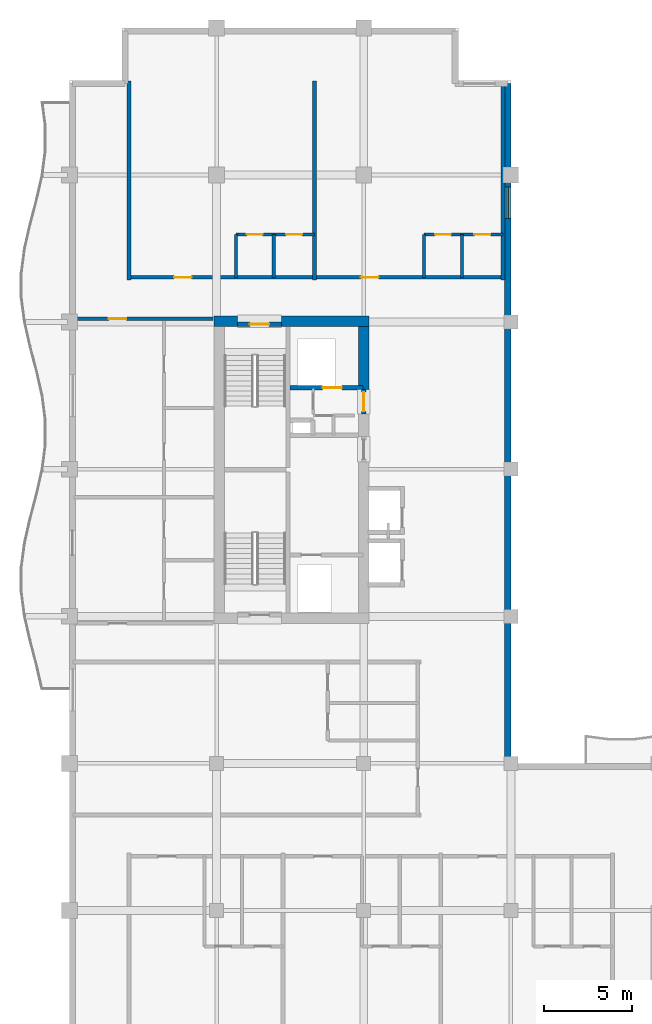
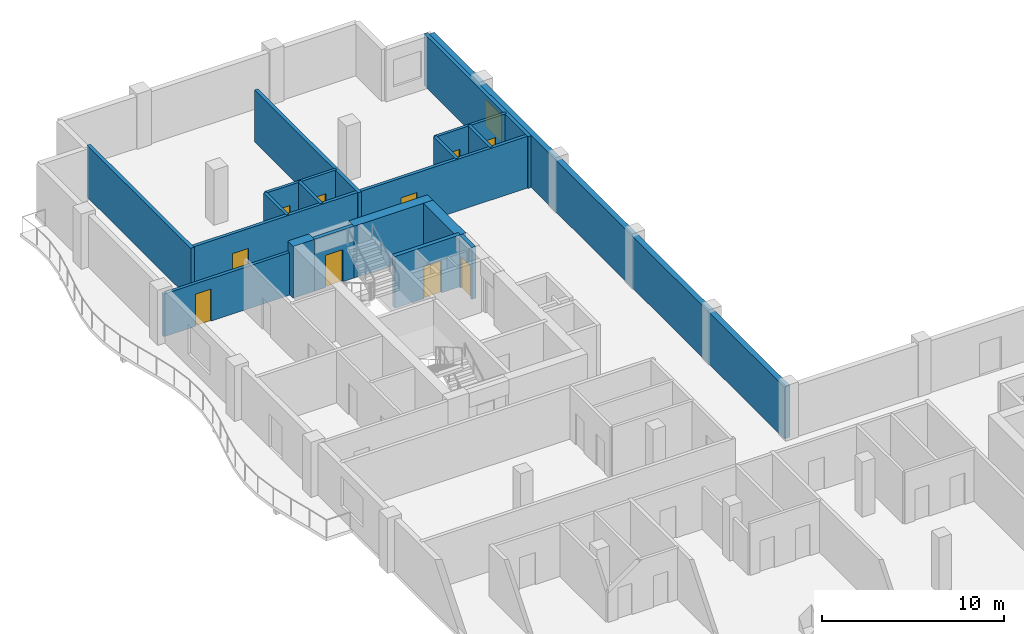
# One storey, part 7 of 12: 18 walls, 10 doors, 1 window, 11 openings.
"""IFC4 building model written with IfcOpenShell, lengths in metres."""

from ifc_helpers import new_model, si_unit, direction, frame, frame_2d, origin, place, context, subcontext, project, spatial, rectangle, extrude, material, layer, layer_set, type_object, element, fill, save


model = new_model("IFC4")

# Units and contexts
model_context = context("Model", 3, precision=1e-05, world=origin(), true_north=direction((0.0, 1.0)))
body_context = subcontext(model_context, "Body", "Model", "MODEL_VIEW")
ifc_project = project(units=[si_unit("LENGTHUNIT", "METRE"), si_unit("AREAUNIT", "SQUARE_METRE"), si_unit("VOLUMEUNIT", "CUBIC_METRE"), si_unit("PLANEANGLEUNIT", "RADIAN"), si_unit("MASSUNIT", "GRAM", prefix="KILO")], contexts=[model_context])

# Site, building, storey
site_placement = place(None, origin())
site = spatial("IfcSite", under=ifc_project, at=site_placement, CompositionType="ELEMENT")
building_placement = place(site_placement, origin())
building = spatial("IfcBuilding", under=site, at=building_placement, Name="Koriwani Terraces Tower", CompositionType="ELEMENT")
storey_placement = place(building_placement, frame((0.0, 0.0, 241.60009765625)))
storey = spatial("IfcBuildingStorey", under=building, at=storey_placement, Name="L59", CompositionType="ELEMENT", Elevation=241.60009765625)

# Walls
ifc_material_1 = material(Name="Concrete C60/75", Category="concrete")
ifc_layer_1 = layer(ifc_material_1, 0.60009765625, Name="Concrete C60/75")
ifc_layer_set_1 = layer_set([ifc_layer_1], Name="Concrete C60/75")
wall_type_1 = type_object("IfcWallType", Name="WALL_CORE_RC_600", PredefinedType="SHEAR", material=ifc_layer_set_1)
wall_1_placement = place(storey_placement, frame((16.64990234375, 58.85009765625, 0.0), z_axis=(0.0, 0.0, 1.0), x_axis=(1.0, 0.0, 0.0)))
element("IfcWall", 1, at=wall_1_placement, inside=storey, type_object=wall_type_1, Name="L59 West Split Core Shear Wall N1", PredefinedType="SHEAR", context=body_context, shape_type="SweptSolid", body=[
    extrude(rectangle(XDim=1.35009765625, YDim=0.60009765625, at=frame_2d((0.675048828125, 0.0))), origin(), (0.0, 0.0, 1.0), 3.469970703125),
])
wall_2_placement = place(storey_placement, frame((20.5, 58.85009765625, 0.0), z_axis=(0.0, 0.0, 1.0), x_axis=(1.0, 0.0, 0.0)))
element("IfcWall", 2, at=wall_2_placement, inside=storey, type_object=wall_type_1, Name="L59 West Split Core Shear Wall N2", PredefinedType="SHEAR", context=body_context, shape_type="SweptSolid", body=[
    extrude(rectangle(XDim=5.0, YDim=0.60009765625, at=frame_2d((2.5, 0.0))), origin(), (0.0, 0.0, 1.0), 3.469970703125),
])
wall_3_placement = place(storey_placement, frame((25.199951171875, 54.949951171875, 0.0), z_axis=(0.0, 0.0, 1.0), x_axis=(0.0, 1.0, 0.0)))
element("IfcWall", 3, at=wall_3_placement, inside=storey, type_object=wall_type_1, Name="L59 West Split Core Shear Wall E3", PredefinedType="SHEAR", context=body_context, shape_type="SweptSolid", body=[
    extrude(rectangle(XDim=3.60009765625, YDim=0.60009765625, at=frame_2d((1.800048828125, 0.0))), origin(), (0.0, 0.0, 1.0), 3.469970703125),
])

# Wall, opening, door
ifc_material_2 = material(Name="Autoclaved Cellular Concrete Blockwork", Category="masonry")
ifc_layer_2 = layer(ifc_material_2, 0.199951171875, Name="Autoclaved Cellular Concrete Blockwork")
ifc_layer_set_2 = layer_set([ifc_layer_2], Name="Autoclaved Cellular Concrete Blockwork")
wall_type_2 = type_object("IfcWallType", Name="WALL_CORRIDOR_200", PredefinedType="PARTITIONING", material=ifc_layer_set_2)
wall_4_placement = place(storey_placement, frame((8.64990234375, 59.0, 0.0), z_axis=(0.0, 0.0, 1.0), x_axis=(1.0, 0.0, 0.0)))
wall_4 = element("IfcWall", 4, at=wall_4_placement, inside=storey, type_object=wall_type_2, Name="L59 Interior Wall WRZ4-WN-L59", PredefinedType="PARTITIONING", context=body_context, shape_type="SweptSolid", body=[
    extrude(rectangle(XDim=7.9501953125, YDim=0.199951171875, at=frame_2d((3.97509765625, 0.0))), origin(), (0.0, 0.0, 1.0), 2.852783203125),
])
opening_1_placement = place(wall_4_placement, frame((2.0, 0.0, 0.0)))
opening_1 = element("IfcOpeningElement", 5, at=opening_1_placement, cuts=wall_4, Name="Opening D-05", PredefinedType="OPENING", context=body_context, shape_type="SweptSolid", body=[
    extrude(rectangle(XDim=1.0, YDim=2.14990234375, at=frame_2d((0.5, 1.074951171875))), frame((0.0, 0.10986328125, 0.0), z_axis=(0.0, -1.0, 0.0), x_axis=(1.0, 0.0, 0.0)), (0.0, 0.0, 1.0), 0.219970703125),
])
ifc_material_3 = material(Name="Architectural Oak Fire Door", Category="wood")
door_type_1 = type_object("IfcDoorType", Name="DOOR_SUITE_ENTRY_1000X2150", OperationType="NOTDEFINED", PredefinedType="DOOR", material=ifc_material_3)
door_1_placement = place(opening_1_placement, origin())
door_1 = element("IfcDoor", 6, at=door_1_placement, inside=storey, type_object=door_type_1, Name="Apartment 59RW2 Entrance Door", OperationType="SINGLE_SWING_RIGHT", OverallHeight=2.14990234375, OverallWidth=1.0, PredefinedType="DOOR", context=body_context, shape_type="SweptSolid", body=[
    extrude(rectangle(XDim=1.0, YDim=2.14990234375, at=frame_2d((0.5, 1.074951171875))), frame((0.0, 0.02490234375, 0.0), z_axis=(0.0, -1.0, 0.0), x_axis=(1.0, 0.0, 0.0)), (0.0, 0.0, 1.0), 0.050048828125),
])
fill(opening_1, door_1)

# Wall, openings, doors
wall_5_placement = place(storey_placement, frame((11.800048828125, 61.35009765625, 0.0), z_axis=(0.0, 0.0, 1.0), x_axis=(1.0, 0.0, 0.0)))
wall_5 = element("IfcWall", 7, at=wall_5_placement, inside=storey, type_object=wall_type_2, Name="L59 Interior Wall WRCOR-L59-NTS-0", PredefinedType="PARTITIONING", context=body_context, shape_type="SweptSolid", body=[
    extrude(rectangle(XDim=21.349853515625, YDim=0.199951171875, at=frame_2d((10.6748046875, 0.0))), origin(), (0.0, 0.0, 1.0), 3.469970703125),
])
opening_2_placement = place(wall_5_placement, frame((2.570068359375, 0.0, 0.0)))
opening_2 = element("IfcOpeningElement", 8, at=opening_2_placement, cuts=wall_5, Name="Opening D-05", PredefinedType="OPENING", context=body_context, shape_type="SweptSolid", body=[
    extrude(rectangle(XDim=1.0, YDim=2.14990234375, at=frame_2d((0.5, 1.074951171875))), frame((0.0, 0.10986328125, 0.0), z_axis=(0.0, -1.0, 0.0), x_axis=(1.0, 0.0, 0.0)), (0.0, 0.0, 1.0), 0.219970703125),
])
opening_3_placement = place(wall_5_placement, frame((13.2451171875, 0.0, 0.0)))
opening_3 = element("IfcOpeningElement", 9, at=opening_3_placement, cuts=wall_5, Name="Opening D-05", PredefinedType="OPENING", context=body_context, shape_type="SweptSolid", body=[
    extrude(rectangle(XDim=1.0, YDim=2.14990234375, at=frame_2d((0.5, 1.074951171875))), frame((0.0, 0.10986328125, 0.0), z_axis=(0.0, -1.0, 0.0), x_axis=(1.0, 0.0, 0.0)), (0.0, 0.0, 1.0), 0.219970703125),
])
door_2_placement = place(opening_2_placement, origin())
door_2 = element("IfcDoor", 10, at=door_2_placement, inside=storey, type_object=door_type_1, Name="Apartment 59NTS1 Entrance Door", OperationType="SINGLE_SWING_LEFT", OverallHeight=2.14990234375, OverallWidth=1.0, PredefinedType="DOOR", context=body_context, shape_type="SweptSolid", body=[
    extrude(rectangle(XDim=1.0, YDim=2.14990234375, at=frame_2d((0.5, 1.074951171875))), frame((0.0, 0.02490234375, 0.0), z_axis=(0.0, -1.0, 0.0), x_axis=(1.0, 0.0, 0.0)), (0.0, 0.0, 1.0), 0.050048828125),
])
fill(opening_2, door_2)
door_3_placement = place(opening_3_placement, origin())
door_3 = element("IfcDoor", 11, at=door_3_placement, inside=storey, type_object=door_type_1, Name="Apartment 59NTS2 Entrance Door", OperationType="SINGLE_SWING_RIGHT", OverallHeight=2.14990234375, OverallWidth=1.0, PredefinedType="DOOR", context=body_context, shape_type="SweptSolid", body=[
    extrude(rectangle(XDim=1.0, YDim=2.14990234375, at=frame_2d((0.5, 1.074951171875))), frame((0.0, 0.02490234375, 0.0), z_axis=(0.0, -1.0, 0.0), x_axis=(1.0, 0.0, 0.0)), (0.0, 0.0, 1.0), 0.050048828125),
])
fill(opening_3, door_3)

# Walls
ifc_layer_3 = layer(ifc_material_2, 0.219970703125, Name="Autoclaved Cellular Concrete Blockwork")
ifc_layer_set_3 = layer_set([ifc_layer_3], Name="Autoclaved Cellular Concrete Blockwork")
wall_type_3 = type_object("IfcWallType", Name="WALL_DEMISING_220", PredefinedType="PARTITIONING", material=ifc_layer_set_3)
for number, where, z_axis, x_axis, name in (
    (12, (11.800048828125, 61.199951171875, 0.0), (0.0, 0.0, 1.0), (0.0, 1.0, 0.0), "L59 Interior Wall WRDEM-L59-NTS-0"),
    (13, (22.39990234375, 61.199951171875, 0.0), (0.0, 0.0, 1.0), (0.0, 1.0, 0.0), "L59 Interior Wall WRDEM-L59-NTS-1"),
    (14, (33.14990234375, 61.199951171875, 0.0), (0.0, 0.0, 1.0), (0.0, 1.0, 0.0), "L59 Interior Wall WRDEME-L59-NTS"),
):
    element("IfcWall", number, at=place(storey_placement, frame(where, z_axis=z_axis, x_axis=x_axis)), inside=storey, type_object=wall_type_3, Name=name, PredefinedType="PARTITIONING", context=body_context, shape_type="SweptSolid", body=[
        extrude(rectangle(XDim=11.380126953125, YDim=0.219970703125, at=frame_2d((5.68994140625, 0.0))), origin(), (0.0, 0.0, 1.0), 3.469970703125),
    ])

# Wall, opening, window
ifc_material_4 = material(Name="Concrete C50/60", Category="concrete")
ifc_layer_4 = layer(ifc_material_4, 0.35009765625, Name="Concrete C50/60")
ifc_layer_set_4 = layer_set([ifc_layer_4], Name="Concrete C50/60")
wall_type_4 = type_object("IfcWallType", Name="WALL_EXT_BRUTALIST_350", PredefinedType="STANDARD", material=ifc_layer_set_4)
wall_6_placement = place(storey_placement, frame((33.425048828125, 72.425048828125, 0.0), z_axis=(0.0, 0.0, 1.0), x_axis=(0.0, -1.0, 0.0)))
wall_6 = element("IfcWall", 15, at=wall_6_placement, inside=storey, type_object=wall_type_4, Name="L59 Fair-Faced Brutalist Exterior Wall (NW_IN)", PredefinedType="STANDARD", context=body_context, shape_type="SweptSolid", body=[
    extrude(rectangle(XDim=39.0, YDim=0.35009765625, at=frame_2d((19.5, 0.0))), origin(), (0.0, 0.0, 1.0), 3.469970703125),
])
opening_4_placement = place(wall_6_placement, frame((5.89990234375, 0.0, 0.85009765625)))
opening_4 = element("IfcOpeningElement", 16, at=opening_4_placement, cuts=wall_6, Name="Opening W-04", PredefinedType="OPENING", context=body_context, shape_type="SweptSolid", body=[
    extrude(rectangle(XDim=1.800048828125, YDim=1.800048828125, at=frame_2d((0.89990234375, 0.89990234375))), frame((0.0, 0.18505859375, 0.0), z_axis=(0.0, -1.0, 0.0), x_axis=(1.0, 0.0, 0.0)), (0.0, 0.0, 1.0), 0.3701171875),
])
ifc_material_5 = material(Name="Tempered Laminated Low-E Glass", Category="glass")
window_type = type_object("IfcWindowType", Name="WIN_RES_BED_1800X1800", PartitioningType="DOUBLE_PANEL_VERTICAL", PredefinedType="WINDOW", material=ifc_material_5)
window_placement = place(opening_4_placement, origin())
window = element("IfcWindow", 17, at=window_placement, inside=storey, type_object=window_type, Name="L59 Exterior Window (NW_IN-R47)", OverallHeight=1.800048828125, OverallWidth=1.800048828125, PartitioningType="SINGLE_PANEL", PredefinedType="WINDOW", context=body_context, shape_type="SweptSolid", body=[
    extrude(rectangle(XDim=1.800048828125, YDim=1.800048828125, at=frame_2d((0.89990234375, 0.89990234375))), frame((0.0, 0.030029296875, 0.0), z_axis=(0.0, -1.0, 0.0), x_axis=(1.0, 0.0, 0.0)), (0.0, 0.0, 1.0), 0.06005859375),
])
fill(opening_4, window)

# Wall, openings, doors
ifc_material_6 = material(Name="Fire-Rated Acoustic Gypsum Partition", Category="masonry")
ifc_layer_5 = layer(ifc_material_6, 0.179931640625, Name="Fire-Rated Acoustic Gypsum Partition")
ifc_layer_set_5 = layer_set([ifc_layer_5], Name="Fire-Rated Acoustic Gypsum Partition")
wall_type_5 = type_object("IfcWallType", Name="WALL_PLUMBING_180", PredefinedType="PLUMBINGWALL", material=ifc_layer_set_5)
wall_7_placement = place(storey_placement, frame((17.89990234375, 63.800048828125, 0.0), z_axis=(0.0, 0.0, 1.0), x_axis=(1.0, 0.0, 0.0)))
wall_7 = element("IfcWall", 18, at=wall_7_placement, inside=storey, type_object=wall_type_5, Name="L59 Interior Wall WRSVC-L59-NTS-0", PredefinedType="PLUMBINGWALL", context=body_context, shape_type="SweptSolid", body=[
    extrude(rectangle(XDim=4.5, YDim=0.179931640625, at=frame_2d((2.25, 0.0))), origin(), (0.0, 0.0, 1.0), 3.469970703125),
])
opening_5_placement = place(wall_7_placement, frame((0.6298828125, 0.0, 0.0)))
opening_5 = element("IfcOpeningElement", 19, at=opening_5_placement, cuts=wall_7, Name="Opening D-07", PredefinedType="OPENING", context=body_context, shape_type="SweptSolid", body=[
    extrude(rectangle(XDim=0.89990234375, YDim=2.10009765625, at=frame_2d((0.449951171875, 1.050048828125))), frame((0.0, 0.10009765625, 0.0), z_axis=(0.0, -1.0, 0.0), x_axis=(1.0, 0.0, 0.0)), (0.0, 0.0, 1.0), 0.199951171875),
])
opening_6_placement = place(wall_7_placement, frame((2.8701171875, 0.0, 0.0)))
opening_6 = element("IfcOpeningElement", 20, at=opening_6_placement, cuts=wall_7, Name="Opening D-06", PredefinedType="OPENING", context=body_context, shape_type="SweptSolid", body=[
    extrude(rectangle(XDim=0.919921875, YDim=2.10009765625, at=frame_2d((0.4599609375, 1.050048828125))), frame((0.0, 0.10009765625, 0.0), z_axis=(0.0, -1.0, 0.0), x_axis=(1.0, 0.0, 0.0)), (0.0, 0.0, 1.0), 0.199951171875),
])
door_type_2 = type_object("IfcDoorType", Name="DOOR_BATH_INT_900X2100", OperationType="NOTDEFINED", PredefinedType="DOOR", material=ifc_material_3)
door_4_placement = place(opening_5_placement, origin())
door_4 = element("IfcDoor", 21, at=door_4_placement, inside=storey, type_object=door_type_2, Name="Apartment 59NTS1 Bathroom Door", OperationType="SINGLE_SWING_RIGHT", OverallHeight=2.10009765625, OverallWidth=0.89990234375, PredefinedType="DOOR", context=body_context, shape_type="SweptSolid", body=[
    extrude(rectangle(XDim=0.89990234375, YDim=2.10009765625, at=frame_2d((0.449951171875, 1.050048828125))), frame((0.0, 0.02490234375, 0.0), z_axis=(0.0, -1.0, 0.0), x_axis=(1.0, 0.0, 0.0)), (0.0, 0.0, 1.0), 0.050048828125),
])
fill(opening_5, door_4)
door_type_3 = type_object("IfcDoorType", Name="DOOR_ROOM_INT_920X2100", OperationType="NOTDEFINED", PredefinedType="DOOR", material=ifc_material_3)
door_5_placement = place(opening_6_placement, origin())
door_5 = element("IfcDoor", 22, at=door_5_placement, inside=storey, type_object=door_type_3, Name="Apartment 59NTS1 Kitchen Door", OperationType="SINGLE_SWING_LEFT", OverallHeight=2.10009765625, OverallWidth=0.919921875, PredefinedType="DOOR", context=body_context, shape_type="SweptSolid", body=[
    extrude(rectangle(XDim=0.919921875, YDim=2.10009765625, at=frame_2d((0.4599609375, 1.050048828125))), frame((0.0, 0.02490234375, 0.0), z_axis=(0.0, -1.0, 0.0), x_axis=(1.0, 0.0, 0.0)), (0.0, 0.0, 1.0), 0.050048828125),
])
fill(opening_6, door_5)

# Walls
for number, where, z_axis, x_axis, name in (
    (23, (17.89990234375, 61.35009765625, 0.0), (0.0, 0.0, 1.0), (0.0, 1.0, 0.0), "L59 Interior Wall WRSVCS-L59-NTS-0"),
    (24, (20.06005859375, 61.35009765625, 0.0), (0.0, 0.0, 1.0), (0.0, 1.0, 0.0), "L59 Interior Wall WRSVCM-L59-NTS-0"),
):
    element("IfcWall", number, at=place(storey_placement, frame(where, z_axis=z_axis, x_axis=x_axis)), inside=storey, type_object=wall_type_5, Name=name, PredefinedType="PLUMBINGWALL", context=body_context, shape_type="SweptSolid", body=[
        extrude(rectangle(XDim=2.449951171875, YDim=0.179931640625, at=frame_2d((1.22509765625, 0.0))), origin(), (0.0, 0.0, 1.0), 3.469970703125),
    ])

# Wall, openings, doors
wall_8_placement = place(storey_placement, frame((28.64990234375, 63.800048828125, 0.0), z_axis=(0.0, 0.0, 1.0), x_axis=(1.0, 0.0, 0.0)))
wall_8 = element("IfcWall", 25, at=wall_8_placement, inside=storey, type_object=wall_type_5, Name="L59 Interior Wall WRSVC-L59-NTS-1", PredefinedType="PLUMBINGWALL", context=body_context, shape_type="SweptSolid", body=[
    extrude(rectangle(XDim=4.5, YDim=0.179931640625, at=frame_2d((2.25, 0.0))), origin(), (0.0, 0.0, 1.0), 3.469970703125),
])
opening_7_placement = place(wall_8_placement, frame((0.6298828125, 0.0, 0.0)))
opening_7 = element("IfcOpeningElement", 26, at=opening_7_placement, cuts=wall_8, Name="Opening D-07", PredefinedType="OPENING", context=body_context, shape_type="SweptSolid", body=[
    extrude(rectangle(XDim=0.89990234375, YDim=2.10009765625, at=frame_2d((0.449951171875, 1.050048828125))), frame((0.0, 0.10009765625, 0.0), z_axis=(0.0, -1.0, 0.0), x_axis=(1.0, 0.0, 0.0)), (0.0, 0.0, 1.0), 0.199951171875),
])
opening_8_placement = place(wall_8_placement, frame((2.8701171875, 0.0, 0.0)))
opening_8 = element("IfcOpeningElement", 27, at=opening_8_placement, cuts=wall_8, Name="Opening D-06", PredefinedType="OPENING", context=body_context, shape_type="SweptSolid", body=[
    extrude(rectangle(XDim=0.919921875, YDim=2.10009765625, at=frame_2d((0.4599609375, 1.050048828125))), frame((0.0, 0.10009765625, 0.0), z_axis=(0.0, -1.0, 0.0), x_axis=(1.0, 0.0, 0.0)), (0.0, 0.0, 1.0), 0.199951171875),
])
door_6_placement = place(opening_7_placement, origin())
door_6 = element("IfcDoor", 28, at=door_6_placement, inside=storey, type_object=door_type_2, Name="Apartment 59NTS2 Bathroom Door", OperationType="SINGLE_SWING_LEFT", OverallHeight=2.10009765625, OverallWidth=0.89990234375, PredefinedType="DOOR", context=body_context, shape_type="SweptSolid", body=[
    extrude(rectangle(XDim=0.89990234375, YDim=2.10009765625, at=frame_2d((0.449951171875, 1.050048828125))), frame((0.0, 0.02490234375, 0.0), z_axis=(0.0, -1.0, 0.0), x_axis=(1.0, 0.0, 0.0)), (0.0, 0.0, 1.0), 0.050048828125),
])
fill(opening_7, door_6)
door_7_placement = place(opening_8_placement, origin())
door_7 = element("IfcDoor", 29, at=door_7_placement, inside=storey, type_object=door_type_3, Name="Apartment 59NTS2 Kitchen Door", OperationType="SINGLE_SWING_RIGHT", OverallHeight=2.10009765625, OverallWidth=0.919921875, PredefinedType="DOOR", context=body_context, shape_type="SweptSolid", body=[
    extrude(rectangle(XDim=0.919921875, YDim=2.10009765625, at=frame_2d((0.4599609375, 1.050048828125))), frame((0.0, 0.02490234375, 0.0), z_axis=(0.0, -1.0, 0.0), x_axis=(1.0, 0.0, 0.0)), (0.0, 0.0, 1.0), 0.050048828125),
])
fill(opening_8, door_7)

# Walls
for number, where, z_axis, x_axis, name in (
    (30, (28.64990234375, 61.35009765625, 0.0), (0.0, 0.0, 1.0), (0.0, 1.0, 0.0), "L59 Interior Wall WRSVCS-L59-NTS-1"),
    (31, (30.81005859375, 61.35009765625, 0.0), (0.0, 0.0, 1.0), (0.0, 1.0, 0.0), "L59 Interior Wall WRSVCM-L59-NTS-1"),
):
    element("IfcWall", number, at=place(storey_placement, frame(where, z_axis=z_axis, x_axis=x_axis)), inside=storey, type_object=wall_type_5, Name=name, PredefinedType="PLUMBINGWALL", context=body_context, shape_type="SweptSolid", body=[
        extrude(rectangle(XDim=2.449951171875, YDim=0.179931640625, at=frame_2d((1.22509765625, 0.0))), origin(), (0.0, 0.0, 1.0), 3.469970703125),
    ])

# Wall, opening, door
ifc_material_7 = material(Name="Concrete C40/50", Category="concrete")
ifc_layer_6 = layer(ifc_material_7, 0.25, Name="Concrete C40/50")
ifc_layer_set_6 = layer_set([ifc_layer_6], Name="Concrete C40/50")
wall_type_6 = type_object("IfcWallType", Name="WALL_SHAFT_RATED_250", PredefinedType="SOLIDWALL", material=ifc_layer_set_6)
wall_9_placement = place(storey_placement, frame((18.0, 58.675048828125, 0.0), z_axis=(0.0, 0.0, 1.0), x_axis=(1.0, 0.0, 0.0)))
wall_9 = element("IfcWall", 32, at=wall_9_placement, inside=storey, type_object=wall_type_6, Name="L59 Interior Wall WIN-CW-L59-STN", PredefinedType="SOLIDWALL", context=body_context, shape_type="SweptSolid", body=[
    extrude(rectangle(XDim=2.5, YDim=0.25, at=frame_2d((1.25, 0.0))), origin(), (0.0, 0.0, 1.0), 3.469970703125),
])
opening_9_placement = place(wall_9_placement, frame((0.699951171875, 0.0, 0.0)))
opening_9 = element("IfcOpeningElement", 33, at=opening_9_placement, cuts=wall_9, Name="Opening D-03", PredefinedType="OPENING", context=body_context, shape_type="SweptSolid", body=[
    extrude(rectangle(XDim=1.10009765625, YDim=2.14990234375, at=frame_2d((0.550048828125, 1.074951171875))), frame((0.0, 0.135009765625, 0.0), z_axis=(0.0, -1.0, 0.0), x_axis=(1.0, 0.0, 0.0)), (0.0, 0.0, 1.0), 0.27001953125),
])
ifc_material_8 = material(Name="Steel ASTM A572 Grade 50", Category="steel")
door_type_4 = type_object("IfcDoorType", Name="DOOR_STAIR_FIRE_1100X2150", OperationType="NOTDEFINED", PredefinedType="DOOR", material=ifc_material_8)
door_8_placement = place(opening_9_placement, origin())
door_8 = element("IfcDoor", 34, at=door_8_placement, inside=storey, type_object=door_type_4, Name="L59 Exit Stair ST-W2 Door", OperationType="SINGLE_SWING_RIGHT", OverallHeight=2.14990234375, OverallWidth=1.10009765625, PredefinedType="DOOR", context=body_context, shape_type="SweptSolid", body=[
    extrude(rectangle(XDim=1.10009765625, YDim=2.14990234375, at=frame_2d((0.550048828125, 1.074951171875))), frame((0.0, 0.02490234375, 0.0), z_axis=(0.0, -1.0, 0.0), x_axis=(1.0, 0.0, 0.0)), (0.0, 0.0, 1.0), 0.050048828125),
])
fill(opening_9, door_8)

wall_10_placement = place(storey_placement, frame((21.0, 55.050048828125, 0.0), z_axis=(0.0, 0.0, 1.0), x_axis=(1.0, 0.0, 0.0)))
wall_10 = element("IfcWall", 35, at=wall_10_placement, inside=storey, type_object=wall_type_6, Name="L59 Interior Wall WIN-CW-L59-SE", PredefinedType="SOLIDWALL", context=body_context, shape_type="SweptSolid", body=[
    extrude(rectangle(XDim=4.14990234375, YDim=0.25, at=frame_2d((2.074951171875, 0.0))), origin(), (0.0, 0.0, 1.0), 3.469970703125),
])
opening_10_placement = place(wall_10_placement, frame((1.85009765625, 0.0, 0.0)))
opening_10 = element("IfcOpeningElement", 36, at=opening_10_placement, cuts=wall_10, Name="Opening LD-01", PredefinedType="OPENING", context=body_context, shape_type="SweptSolid", body=[
    extrude(rectangle(XDim=1.10009765625, YDim=2.14990234375, at=frame_2d((0.550048828125, 1.074951171875))), frame((0.0, 0.135009765625, 0.0), z_axis=(0.0, -1.0, 0.0), x_axis=(1.0, 0.0, 0.0)), (0.0, 0.0, 1.0), 0.27001953125),
])
door_type_5 = type_object("IfcDoorType", Name="DOOR_LIFT_LANDING_1100X2200", OperationType="NOTDEFINED", PredefinedType="DOOR", material=ifc_material_8)
door_9_placement = place(opening_10_placement, origin())
door_9 = element("IfcDoor", 37, at=door_9_placement, inside=storey, type_object=door_type_5, Name="L59 Goods Lift SE-01 Landing Door", OperationType="SLIDING_TO_LEFT", OverallHeight=2.14990234375, OverallWidth=1.10009765625, PredefinedType="DOOR", context=body_context, shape_type="SweptSolid", body=[
    extrude(rectangle(XDim=1.10009765625, YDim=2.14990234375, at=frame_2d((0.550048828125, 1.074951171875))), frame((0.0, 0.02490234375, 0.0), z_axis=(0.0, -1.0, 0.0), x_axis=(1.0, 0.0, 0.0)), (0.0, 0.0, 1.0), 0.050048828125),
])
fill(opening_10, door_9)

wall_11_placement = place(storey_placement, frame((25.199951171875, 53.550048828125, 0.0), z_axis=(0.0, 0.0, 1.0), x_axis=(0.0, 1.0, 0.0)))
wall_11 = element("IfcWall", 38, at=wall_11_placement, inside=storey, type_object=wall_type_6, Name="L59 Interior Wall WIN-CW-L59-EP2", PredefinedType="SOLIDWALL", context=body_context, shape_type="SweptSolid", body=[
    extrude(rectangle(XDim=1.39990234375, YDim=0.25, at=frame_2d((0.699951171875, 0.0))), origin(), (0.0, 0.0, 1.0), 3.469970703125),
])
opening_11_placement = place(wall_11_placement, frame((0.14990234375, 0.0, 0.0)))
opening_11 = element("IfcOpeningElement", 39, at=opening_11_placement, cuts=wall_11, Name="Opening D-03", PredefinedType="OPENING", context=body_context, shape_type="SweptSolid", body=[
    extrude(rectangle(XDim=1.10009765625, YDim=2.14990234375, at=frame_2d((0.550048828125, 1.074951171875))), frame((0.0, 0.135009765625, 0.0), z_axis=(0.0, -1.0, 0.0), x_axis=(1.0, 0.0, 0.0)), (0.0, 0.0, 1.0), 0.27001953125),
])
door_10_placement = place(opening_11_placement, origin())
door_10 = element("IfcDoor", 40, at=door_10_placement, inside=storey, type_object=door_type_4, Name="L59 West Goods Lift Lobby Door", OperationType="SINGLE_SWING_RIGHT", OverallHeight=2.14990234375, OverallWidth=1.10009765625, PredefinedType="DOOR", context=body_context, shape_type="SweptSolid", body=[
    extrude(rectangle(XDim=1.10009765625, YDim=2.14990234375, at=frame_2d((0.550048828125, 1.074951171875))), frame((0.0, 0.02490234375, 0.0), z_axis=(0.0, -1.0, 0.0), x_axis=(1.0, 0.0, 0.0)), (0.0, 0.0, 1.0), 0.050048828125),
])
fill(opening_11, door_10)

save(model, "model.ifc")
